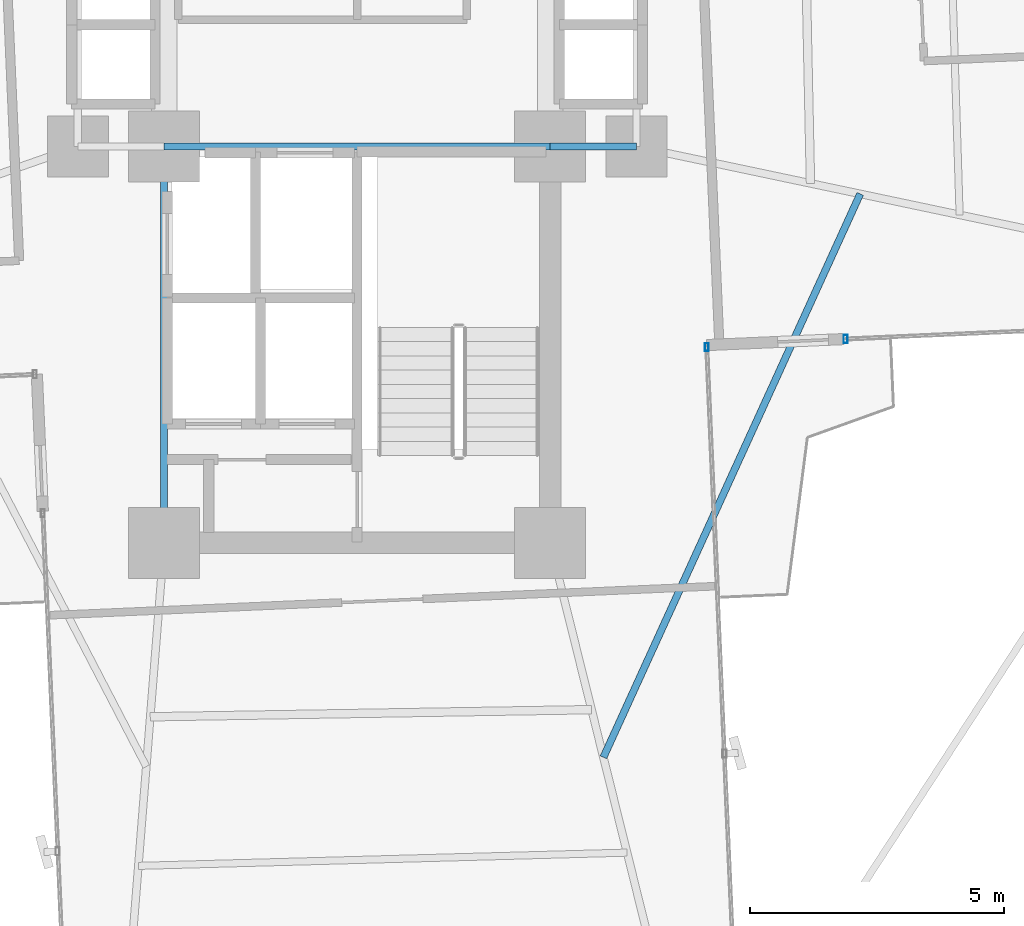
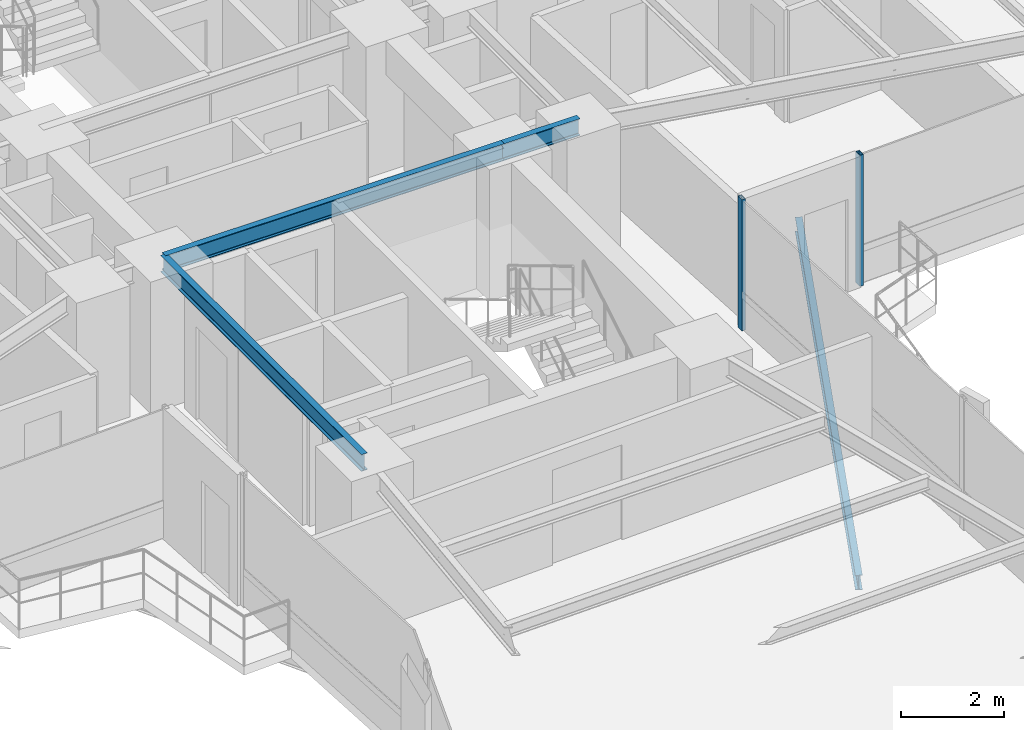
# One storey, part 11 of 26: 4 beams, 2 members, 2 elements without a shape of their own.
"""IFC4 building model written with IfcOpenShell, lengths in metres."""

from ifc_helpers import new_model, si_unit, direction, frame, origin, origin_2d, place, context, subcontext, project, spatial, hollow_rectangle, i_section, extrude, source, transform, mapped, material, material_profile, profile_set, type_object, element, aggregate, save


model = new_model("IFC4")

# Units and contexts
model_context = context("Model", 3, precision=1e-05, world=origin(), true_north=direction((0.0, 1.0)))
body_context = subcontext(model_context, "Body", "Model", "MODEL_VIEW")
ifc_project = project(units=[si_unit("LENGTHUNIT", "METRE"), si_unit("AREAUNIT", "SQUARE_METRE"), si_unit("VOLUMEUNIT", "CUBIC_METRE"), si_unit("PLANEANGLEUNIT", "RADIAN"), si_unit("MASSUNIT", "GRAM", prefix="KILO")], contexts=[model_context])

# Site, building, storey
site_placement = place(None, origin())
site = spatial("IfcSite", under=ifc_project, at=site_placement, CompositionType="ELEMENT")
building_placement = place(site_placement, origin())
building = spatial("IfcBuilding", under=site, at=building_placement, Name="Sahyath Konkavel Grand Hotel", CompositionType="ELEMENT")
storey_placement = place(building_placement, frame((0.0, 0.0, 83.5)))
storey = spatial("IfcBuildingStorey", under=building, at=storey_placement, Name="L22", CompositionType="ELEMENT", Elevation=83.5)

# Beams
ifc_material_1 = material(Name="Steel E350", Category="steel")
ifc_material_profile_1 = material_profile(ifc_material_1, i_section(OverallWidth=0.139892578125, OverallDepth=0.39990234375, WebThickness=0.0087890625, FlangeThickness=0.01611328125, FilletRadius=0.013916015625, at=origin_2d()), Name="ISMB 400")
ifc_profile_set_1 = profile_set([ifc_material_profile_1], Name="Steel E350")
beam_type_1 = type_object("IfcBeamType", Name="BM-ISMB400", PredefinedType="BEAM", material=ifc_profile_set_1)
shared_shape_1 = source(origin(), body_context, "Body", "SweptSolid", [
    extrude(i_section(OverallWidth=0.139892578125, OverallDepth=0.39990234375, WebThickness=0.0087890625, FlangeThickness=0.01611328125, FilletRadius=0.013916015625, at=origin_2d()), origin(), (0.0, 0.0, 1.0), 7.60009765625),
])
beam_1_placement = place(storey_placement, frame((-3.800048828125, -2.39990234375, 2.909912109375), z_axis=(1.0, 0.0, 0.0), x_axis=(0.0, 1.0, 0.0)))
element("IfcBeam", 1, at=beam_1_placement, inside=storey, type_object=beam_type_1, Name="str:bm:L22:SC-N", PredefinedType="BEAM", context=body_context, shape_type="MappedRepresentation", body=[
    mapped(shared_shape_1, transform((0.0, 0.0, 0.0), scale=1.0)),
])
shared_shape_2 = source(origin(), body_context, "Body", "SweptSolid", [
    extrude(i_section(OverallWidth=0.139892578125, OverallDepth=0.39990234375, WebThickness=0.0087890625, FlangeThickness=0.01611328125, FilletRadius=0.013916015625, at=origin_2d()), origin(), (0.0, 0.0, 1.0), 7.800048828125),
])
beam_2_placement = place(storey_placement, frame((-3.800048828125, -10.199951171875, 2.909912109375), z_axis=(0.0, 1.0, 0.0), x_axis=(-1.0, 0.0, 0.0)))
element("IfcBeam", 2, at=beam_2_placement, inside=storey, type_object=beam_type_1, Name="str:bm:L22:SC-W", PredefinedType="BEAM", context=body_context, shape_type="MappedRepresentation", body=[
    mapped(shared_shape_2, transform((0.0, 0.0, 0.0), scale=1.0)),
])
shared_shape_3 = source(origin(), body_context, "Body", "SweptSolid", [
    extrude(i_section(OverallWidth=0.139892578125, OverallDepth=0.39990234375, WebThickness=0.0087890625, FlangeThickness=0.01611328125, FilletRadius=0.013916015625, at=origin_2d()), origin(), (0.0, 0.0, 1.0), 1.699951171875),
])
beam_3_placement = place(storey_placement, frame((3.800048828125, -2.39990234375, 2.909912109375), z_axis=(1.0, 0.0, 0.0), x_axis=(0.0, 1.0, 0.0)))
element("IfcBeam", 3, at=beam_3_placement, inside=storey, type_object=beam_type_1, Name="str:bm:L22:HB-SE", PredefinedType="BEAM", context=body_context, shape_type="MappedRepresentation", body=[
    mapped(shared_shape_3, transform((0.0, 0.0, 0.0), scale=1.0)),
])

# Curtain wall, member
ifc_material_2 = material(Name="Anodised Bronze Aluminium & Low-E Glazing", Category="aluminium")
curtain_wall_type = type_object("IfcCurtainWallType", Name="CW-ZONE2", PredefinedType="NOTDEFINED", material=ifc_material_2)
curtain_wall_1_placement = place(storey_placement, origin())
curtain_wall_1 = element("IfcCurtainWall", 4, at=curtain_wall_1_placement, inside=storey, type_object=curtain_wall_type, Name="L22 Unitised Curtain Wall F0", PredefinedType="NOTDEFINED")
ifc_material_3 = material(Name="Anodised Bronze Aluminium", Category="aluminium")
ifc_material_profile_2 = material_profile(ifc_material_3, hollow_rectangle(XDim=0.080078125, YDim=0.159912109375, WallThickness=0.006103515625, at=origin_2d()), Name="RHS 160x80x6")
ifc_profile_set_2 = profile_set([ifc_material_profile_2], Name="Anodised Bronze Aluminium")
member_type = type_object("IfcMemberType", Name="CW-MUL-160", PredefinedType="MULLION", material=ifc_profile_set_2)
shared_shape_4 = source(origin(), body_context, "Body", "SweptSolid", [
    extrude(hollow_rectangle(XDim=0.080078125, YDim=0.159912109375, WallThickness=0.006103515625, at=origin_2d()), origin(), (0.0, 0.0, 1.0), 3.110107421875),
])
member_1_placement = place(storey_placement, frame((9.618896484375, -6.186279296875, 0.0), z_axis=(0.0, 0.0, 1.0), x_axis=(1.0, 0.0, 0.0)))
member_1 = element("IfcMember", 5, at=member_1_placement, type_object=member_type, Name="L22 Curtain Wall Mullion F0-0", PredefinedType="MULLION", context=body_context, shape_type="MappedRepresentation", body=[
    mapped(shared_shape_4, transform((0.0, 0.0, 0.0), scale=1.0)),
])
aggregate(curtain_wall_1, [member_1])

curtain_wall_2_placement = place(storey_placement, origin())
curtain_wall_2 = element("IfcCurtainWall", 6, at=curtain_wall_2_placement, inside=storey, type_object=curtain_wall_type, Name="L22 Unitised Curtain Wall F31", PredefinedType="NOTDEFINED")
member_2_placement = place(storey_placement, frame((6.88330078125, -6.345703125, 0.0), z_axis=(0.0, 0.0, 1.0), x_axis=(1.0, 0.0, 0.0)))
member_2 = element("IfcMember", 7, at=member_2_placement, type_object=member_type, Name="L22 Curtain Wall Mullion F31-2", PredefinedType="MULLION", context=body_context, shape_type="MappedRepresentation", body=[
    mapped(shared_shape_4, transform((0.0, 0.0, 0.0), scale=1.0)),
])
aggregate(curtain_wall_2, [member_2])

# Beam
ifc_material_profile_3 = material_profile(ifc_material_1, i_section(OverallWidth=0.139892578125, OverallDepth=0.35009765625, WebThickness=0.008056640625, FlangeThickness=0.01416015625, FilletRadius=0.013916015625, at=origin_2d()), Name="ISMB 350")
ifc_profile_set_3 = profile_set([ifc_material_profile_3], Name="Steel E350")
beam_type_2 = type_object("IfcBeamType", Name="BM-BALC-CANT", PredefinedType="BEAM", material=ifc_profile_set_3)
shared_shape_5 = source(origin(), body_context, "Body", "SweptSolid", [
    extrude(i_section(OverallWidth=0.139892578125, OverallDepth=0.35009765625, WebThickness=0.008056640625, FlangeThickness=0.01416015625, FilletRadius=0.013916015625, at=origin_2d()), origin(), (0.0, 0.0, 1.0), 12.190673828125),
])
beam_4_placement = place(storey_placement, frame((4.8486328125, -14.422119140625, -0.4150390625), z_axis=(0.414712580086, 0.909952458054, 0.0), x_axis=(-0.909952458054, 0.414712580086, 0.0)))
element("IfcBeam", 8, at=beam_4_placement, inside=storey, type_object=beam_type_2, Name="L22 Balcony Cantilever Support Beam SE", PredefinedType="BEAM", context=body_context, shape_type="MappedRepresentation", body=[
    mapped(shared_shape_5, transform((0.0, 0.0, 0.0), scale=1.0)),
])

save(model, "model.ifc")
